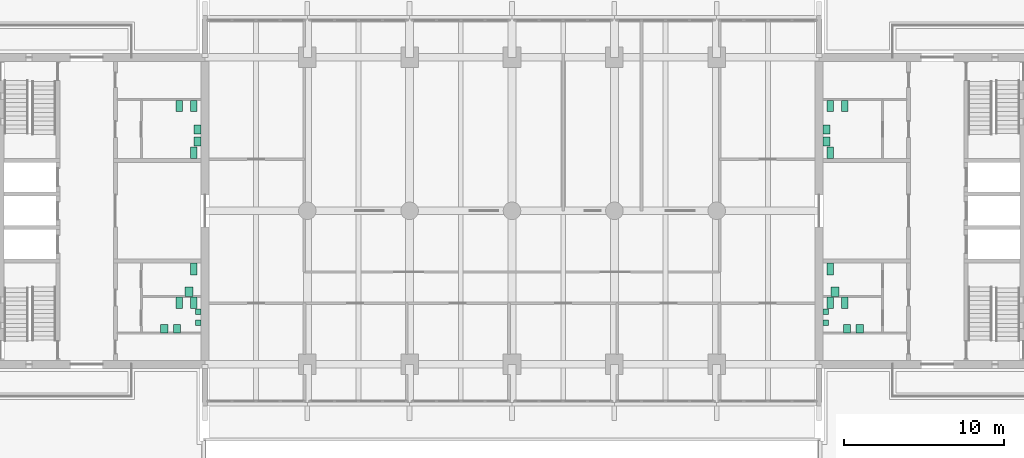
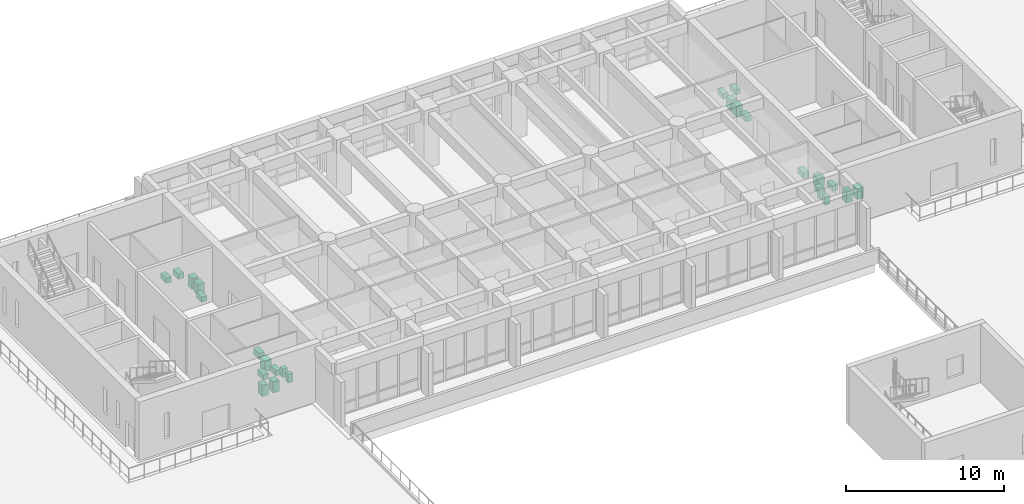
# One storey, part 21 of 21: 26 sanitary terminals.
"""IFC4 building model written with IfcOpenShell, lengths in metres."""

from ifc_helpers import new_model, si_unit, direction, frame, origin, origin_2d, place, context, subcontext, project, spatial, rectangle, extrude, material, type_object, element, save


model = new_model("IFC4")

# Units and contexts
model_context = context("Model", 3, precision=1e-05, world=origin(), true_north=direction((0.0, 1.0)))
body_context = subcontext(model_context, "Body", "Model", "MODEL_VIEW")
ifc_project = project(units=[si_unit("LENGTHUNIT", "METRE"), si_unit("AREAUNIT", "SQUARE_METRE"), si_unit("VOLUMEUNIT", "CUBIC_METRE"), si_unit("PLANEANGLEUNIT", "RADIAN"), si_unit("MASSUNIT", "GRAM", prefix="KILO")], contexts=[model_context])

# Site, building, storey
site_placement = place(None, origin())
site = spatial("IfcSite", under=ifc_project, at=site_placement, CompositionType="ELEMENT")
building_placement = place(site_placement, origin())
building = spatial("IfcBuilding", under=site, at=building_placement, Name="Fogon Plaza Fire Station and Headquarters Tower", CompositionType="ELEMENT")
storey_placement = place(building_placement, frame((0.0, 0.0, 8.39990234375)))
storey = spatial("IfcBuildingStorey", under=building, at=storey_placement, Name="L02", CompositionType="ELEMENT", Elevation=8.39990234375)

# Sanitary terminals
ifc_material_1 = material(Name="Vitreous china")
sanitary_terminal_type_1 = type_object("IfcSanitaryTerminalType", Name="Accessible Hand Basin 600x500", PredefinedType="WASHHANDBASIN", material=ifc_material_1)
for number, where, z_axis, x_axis, name in (
    (1, (24.60009765625, 38.14990234375, 0.0), (0.0, 0.0, 1.0), (1.0, 0.0, 0.0), "Accessible Hand Basin"),
    (2, (65.0, 38.14990234375, 0.0), (0.0, 0.0, 1.0), (1.0, 0.0, 0.0), "Accessible Hand Basin"),
):
    element("IfcSanitaryTerminal", number, at=place(storey_placement, frame(where, z_axis=z_axis, x_axis=x_axis)), inside=storey, type_object=sanitary_terminal_type_1, Name=name, PredefinedType="WASHHANDBASIN", context=body_context, shape_type="SweptSolid", body=[
        extrude(rectangle(XDim=0.5, YDim=0.60009765625, at=origin_2d()), origin(), (0.0, 0.0, 1.0), 0.800048828125),
    ])
ifc_material_2 = material(Name="Vitreous china")
sanitary_terminal_type_2 = type_object("IfcSanitaryTerminalType", Name="Accessible WC Pan 400x750", PredefinedType="TOILETPAN", material=ifc_material_2)
for number, where, z_axis, x_axis, name in (
    (3, (24.89990234375, 39.550048828125, 0.0), (0.0, 0.0, 1.0), (1.0, 0.0, 0.0), "Accessible WC Pan"),
    (4, (64.699951171875, 39.550048828125, 0.0), (0.0, 0.0, 1.0), (1.0, 0.0, 0.0), "Accessible WC Pan"),
):
    element("IfcSanitaryTerminal", number, at=place(storey_placement, frame(where, z_axis=z_axis, x_axis=x_axis)), inside=storey, type_object=sanitary_terminal_type_2, Name=name, PredefinedType="TOILETPAN", context=body_context, shape_type="SweptSolid", body=[
        extrude(rectangle(XDim=0.39990234375, YDim=0.75, at=origin_2d()), origin(), (0.0, 0.0, 1.0), 0.47998046875),
    ])
ifc_material_3 = material(Name="Vitreous china")
sanitary_terminal_type_3 = type_object("IfcSanitaryTerminalType", Name="Hand Basin 550x450", PredefinedType="WASHHANDBASIN", material=ifc_material_3)
for number, where, z_axis, x_axis, name in (
    (5, (23.85009765625, 35.824951171875, 0.0), (0.0, 0.0, 1.0), (1.0, 0.0, 0.0), "Hand Basin"),
    (6, (23.050048828125, 35.824951171875, 0.0), (0.0, 0.0, 1.0), (1.0, 0.0, 0.0), "Hand Basin"),
    (7, (25.125, 47.52490234375, 0.0), (0.0, 0.0, 1.0), (1.0, 0.0, 0.0), "Hand Basin"),
    (8, (25.125, 48.27490234375, 0.0), (0.0, 0.0, 1.0), (1.0, 0.0, 0.0), "Hand Basin"),
    (9, (65.75, 35.824951171875, 0.0), (0.0, 0.0, 1.0), (1.0, 0.0, 0.0), "Hand Basin"),
    (10, (66.550048828125, 35.824951171875, 0.0), (0.0, 0.0, 1.0), (1.0, 0.0, 0.0), "Hand Basin"),
    (11, (64.47509765625, 47.52490234375, 0.0), (0.0, 0.0, 1.0), (1.0, 0.0, 0.0), "Hand Basin"),
    (12, (64.47509765625, 48.27490234375, 0.0), (0.0, 0.0, 1.0), (1.0, 0.0, 0.0), "Hand Basin"),
):
    element("IfcSanitaryTerminal", number, at=place(storey_placement, frame(where, z_axis=z_axis, x_axis=x_axis)), inside=storey, type_object=sanitary_terminal_type_3, Name=name, PredefinedType="WASHHANDBASIN", context=body_context, shape_type="SweptSolid", body=[
        extrude(rectangle(XDim=0.449951171875, YDim=0.550048828125, at=origin_2d()), origin(), (0.0, 0.0, 1.0), 0.85009765625),
    ])
ifc_material_4 = material(Name="Vitreous china")
sanitary_terminal_type_4 = type_object("IfcSanitaryTerminalType", Name="Urinal 350x350", PredefinedType="URINAL", material=ifc_material_4)
for number, where, z_axis, x_axis, name in (
    (13, (25.175048828125, 36.199951171875, 0.000244140625), (0.0, 0.0, 1.0), (1.0, 0.0, 0.0), "Urinal"),
    (14, (25.175048828125, 36.89990234375, 0.000244140625), (0.0, 0.0, 1.0), (1.0, 0.0, 0.0), "Urinal"),
    (15, (64.425048828125, 36.199951171875, 0.000244140625), (0.0, 0.0, 1.0), (1.0, 0.0, 0.0), "Urinal"),
    (16, (64.425048828125, 36.89990234375, 0.000244140625), (0.0, 0.0, 1.0), (1.0, 0.0, 0.0), "Urinal"),
):
    element("IfcSanitaryTerminal", number, at=place(storey_placement, frame(where, z_axis=z_axis, x_axis=x_axis)), inside=storey, type_object=sanitary_terminal_type_4, Name=name, PredefinedType="URINAL", context=body_context, shape_type="SweptSolid", body=[
        extrude(rectangle(XDim=0.35009765625, YDim=0.35009765625, at=origin_2d()), origin(), (0.0, 0.0, 1.0), 0.64990234375),
    ])
ifc_material_5 = material(Name="Vitreous china")
sanitary_terminal_type_5 = type_object("IfcSanitaryTerminalType", Name="WC Pan 400x700", PredefinedType="TOILETPAN", material=ifc_material_5)
for number, where, z_axis, x_axis, name in (
    (17, (24.89990234375, 37.449951171875, 0.000244140625), (0.0, 0.0, 1.0), (1.0, 0.0, 0.0), "WC Pan"),
    (18, (24.0, 37.449951171875, 0.000244140625), (0.0, 0.0, 1.0), (1.0, 0.0, 0.0), "WC Pan"),
    (19, (24.89990234375, 49.75, 0.000244140625), (0.0, 0.0, 1.0), (1.0, 0.0, 0.0), "WC Pan"),
    (20, (24.0, 49.75, 0.000244140625), (0.0, 0.0, 1.0), (1.0, 0.0, 0.0), "WC Pan"),
    (21, (24.89990234375, 46.824951171875, 0.000244140625), (0.0, 0.0, 1.0), (1.0, 0.0, 0.0), "WC Pan"),
    (22, (64.699951171875, 37.449951171875, 0.000244140625), (0.0, 0.0, 1.0), (1.0, 0.0, 0.0), "WC Pan"),
    (23, (65.60009765625, 37.449951171875, 0.000244140625), (0.0, 0.0, 1.0), (1.0, 0.0, 0.0), "WC Pan"),
    (24, (64.699951171875, 49.75, 0.000244140625), (0.0, 0.0, 1.0), (1.0, 0.0, 0.0), "WC Pan"),
    (25, (65.60009765625, 49.75, 0.000244140625), (0.0, 0.0, 1.0), (1.0, 0.0, 0.0), "WC Pan"),
    (26, (64.699951171875, 46.824951171875, 0.000244140625), (0.0, 0.0, 1.0), (1.0, 0.0, 0.0), "WC Pan"),
):
    element("IfcSanitaryTerminal", number, at=place(storey_placement, frame(where, z_axis=z_axis, x_axis=x_axis)), inside=storey, type_object=sanitary_terminal_type_5, Name=name, PredefinedType="TOILETPAN", context=body_context, shape_type="SweptSolid", body=[
        extrude(rectangle(XDim=0.39990234375, YDim=0.699951171875, at=origin_2d()), origin(), (0.0, 0.0, 1.0), 0.39990234375),
    ])

save(model, "model.ifc")
